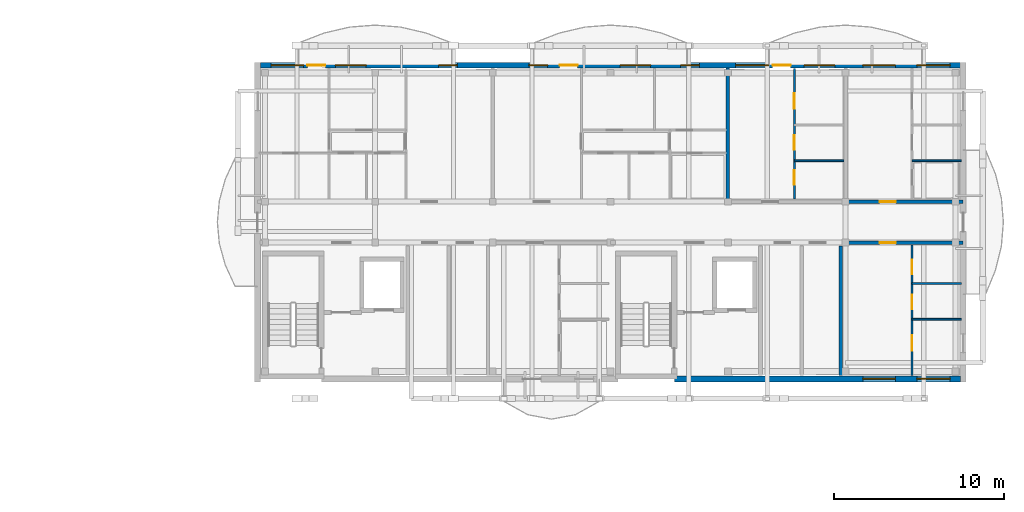
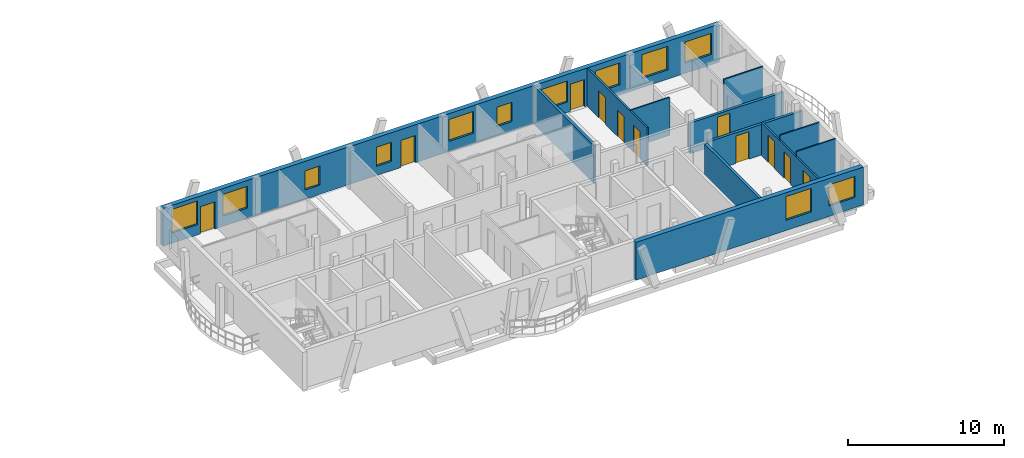
# One storey, part 30 of 41: 12 walls, 12 windows, 11 doors, 23 openings.
"""IFC4 building model written with IfcOpenShell, lengths in metres."""

from ifc_helpers import new_model, si_unit, direction, frame, frame_2d, origin, origin_with_axes, place, context, subcontext, project, spatial, rectangle, extrude, material, layer, layer_set, type_object, element, fill, save


model = new_model("IFC4")

# Units and contexts
model_context = context("Model", 3, precision=1e-05, world=origin(), true_north=direction((0.0, 1.0)))
body_context = subcontext(model_context, "Body", "Model", "MODEL_VIEW")
ifc_project = project(units=[si_unit("LENGTHUNIT", "METRE"), si_unit("AREAUNIT", "SQUARE_METRE"), si_unit("VOLUMEUNIT", "CUBIC_METRE"), si_unit("PLANEANGLEUNIT", "RADIAN"), si_unit("MASSUNIT", "GRAM", prefix="KILO")], contexts=[model_context])

# Site, building, storey
site_placement = place(None, origin())
site = spatial("IfcSite", under=ifc_project, at=site_placement, CompositionType="ELEMENT")
building_placement = place(site_placement, origin())
building = spatial("IfcBuilding", under=site, at=building_placement, Name="Zavelmont Quarter", CompositionType="ELEMENT")
storey_placement = place(building_placement, frame((0.0, 0.0, 27.199951171875)))
storey = spatial("IfcBuildingStorey", under=building, at=storey_placement, Name="L08", CompositionType="ELEMENT", Elevation=27.199951171875)

# Wall, openings, windows
ifc_material_1 = material(Name="Natural Belgian limestone", Category="masonry")
ifc_layer_1 = layer(ifc_material_1, 0.340087890625)
ifc_layer_set_1 = layer_set([ifc_layer_1], Name="Natural Belgian limestone")
wall_type_1 = type_object("IfcWallType", Name="EW03", PredefinedType="STANDARD", material=ifc_layer_set_1)
wall_1_placement = place(storey_placement, frame((151.050048828125, 97.60009765625, 0.0), z_axis=(0.0, 0.0, 1.0), x_axis=(1.0, 0.0, 0.0)))
wall_1 = element("IfcWall", 1, at=wall_1_placement, inside=storey, type_object=wall_type_1, Name="L08 exterior limestone wall EW03", PredefinedType="STANDARD", context=body_context, shape_type="SweptSolid", body=[
    extrude(rectangle(XDim=16.7900390625, YDim=0.340087890625, at=frame_2d((8.39501953125, 0.0))), origin(), (0.0, 0.0, 1.0), 2.9599609375),
])
opening_1_placement = place(wall_1_placement, frame((11.070068359375, 0.0, 0.800048828125)))
opening_1 = element("IfcOpeningElement", 2, at=opening_1_placement, cuts=wall_1, Name="Opening WN20", PredefinedType="OPENING", context=body_context, shape_type="SweptSolid", body=[
    extrude(rectangle(XDim=1.89990234375, YDim=1.85009765625, at=frame_2d((0.949951171875, 0.925048828125))), frame((0.0, 0.18212890625, 0.0), z_axis=(0.0, -1.0, 0.0), x_axis=(1.0, 0.0, 0.0)), (0.0, 0.0, 1.0), 0.364013671875),
])
opening_2_placement = place(wall_1_placement, frame((14.235107421875, 0.0, 0.800048828125)))
opening_2 = element("IfcOpeningElement", 3, at=opening_2_placement, cuts=wall_1, Name="Opening WN24", PredefinedType="OPENING", context=body_context, shape_type="SweptSolid", body=[
    extrude(rectangle(XDim=1.949951171875, YDim=1.64990234375, at=frame_2d((0.97509765625, 0.824951171875))), frame((0.0, 0.18212890625, 0.0), z_axis=(0.0, -1.0, 0.0), x_axis=(1.0, 0.0, 0.0)), (0.0, 0.0, 1.0), 0.364013671875),
])
ifc_material_2 = material(Name="Double low-E insulated glazing in thermally broken aluminium frame", Category="aluminium")
window_type_1 = type_object("IfcWindowType", Name="WN20", PartitioningType="SINGLE_PANEL", PredefinedType="WINDOW", material=ifc_material_2)
window_1_placement = place(opening_1_placement, origin_with_axes())
window_1 = element("IfcWindow", 4, at=window_1_placement, inside=storey, type_object=window_type_1, Name="L08 window WN20", OverallHeight=1.85009765625, OverallWidth=1.89990234375, PartitioningType="SINGLE_PANEL", PredefinedType="WINDOW", context=body_context, shape_type="SweptSolid", body=[
    extrude(rectangle(XDim=1.89990234375, YDim=1.85009765625, at=frame_2d((0.949951171875, 0.925048828125))), frame((0.0, 0.030029296875, 0.0), z_axis=(0.0, -1.0, 0.0), x_axis=(1.0, 0.0, 0.0)), (0.0, 0.0, 1.0), 0.06005859375),
])
fill(opening_1, window_1)
window_type_2 = type_object("IfcWindowType", Name="WN24", PartitioningType="SINGLE_PANEL", PredefinedType="WINDOW", material=ifc_material_2)
window_2_placement = place(opening_2_placement, origin_with_axes())
window_2 = element("IfcWindow", 5, at=window_2_placement, inside=storey, type_object=window_type_2, Name="L08 window WN24", OverallHeight=1.64990234375, OverallWidth=1.949951171875, PartitioningType="SINGLE_PANEL", PredefinedType="WINDOW", context=body_context, shape_type="SweptSolid", body=[
    extrude(rectangle(XDim=1.949951171875, YDim=1.64990234375, at=frame_2d((0.97509765625, 0.824951171875))), frame((0.0, 0.030029296875, 0.0), z_axis=(0.0, -1.0, 0.0), x_axis=(1.0, 0.0, 0.0)), (0.0, 0.0, 1.0), 0.06005859375),
])
fill(opening_2, window_2)

# Wall, openings, doors, windows
wall_2_placement = place(storey_placement, frame((126.760009765625, 116.0, 0.0), z_axis=(0.0, 0.0, 1.0), x_axis=(1.0, 0.0, 0.0)))
wall_2 = element("IfcWall", 6, at=wall_2_placement, inside=storey, type_object=wall_type_1, Name="L08 exterior limestone wall EW03", PredefinedType="STANDARD", context=body_context, shape_type="SweptSolid", body=[
    extrude(rectangle(XDim=41.080078125, YDim=0.340087890625, at=frame_2d((20.5400390625, 0.0))), origin(), (0.0, 0.0, 1.0), 2.9599609375),
])
opening_3_placement = place(wall_2_placement, frame((2.767333984375, 0.0, 0.0)))
opening_3 = element("IfcOpeningElement", 7, at=opening_3_placement, cuts=wall_2, Name="Opening DR04A", PredefinedType="OPENING", context=body_context, shape_type="SweptSolid", body=[
    extrude(rectangle(XDim=1.050048828125, YDim=2.1201171875, at=frame_2d((0.52490234375, 1.06005859375))), frame((0.0, 0.18212890625, 0.0), z_axis=(0.0, -1.0, 0.0), x_axis=(1.0, 0.0, 0.0)), (0.0, 0.0, 1.0), 0.364013671875),
])
opening_4_placement = place(wall_2_placement, frame((17.5673828125, 0.0, 0.0)))
opening_4 = element("IfcOpeningElement", 8, at=opening_4_placement, cuts=wall_2, Name="Opening DR04A", PredefinedType="OPENING", context=body_context, shape_type="SweptSolid", body=[
    extrude(rectangle(XDim=1.050048828125, YDim=2.1201171875, at=frame_2d((0.52490234375, 1.06005859375))), frame((0.0, 0.18212890625, 0.0), z_axis=(0.0, -1.0, 0.0), x_axis=(1.0, 0.0, 0.0)), (0.0, 0.0, 1.0), 0.364013671875),
])
opening_5_placement = place(wall_2_placement, frame((30.0673828125, 0.0, 0.0)))
opening_5 = element("IfcOpeningElement", 9, at=opening_5_placement, cuts=wall_2, Name="Opening DR04A", PredefinedType="OPENING", context=body_context, shape_type="SweptSolid", body=[
    extrude(rectangle(XDim=1.050048828125, YDim=2.1201171875, at=frame_2d((0.52490234375, 1.06005859375))), frame((0.0, 0.18212890625, 0.0), z_axis=(0.0, -1.0, 0.0), x_axis=(1.0, 0.0, 0.0)), (0.0, 0.0, 1.0), 0.364013671875),
])
opening_6_placement = place(wall_2_placement, frame((0.642333984375, 0.0, 0.800048828125)))
opening_6 = element("IfcOpeningElement", 10, at=opening_6_placement, cuts=wall_2, Name="Opening WN20", PredefinedType="OPENING", context=body_context, shape_type="SweptSolid", body=[
    extrude(rectangle(XDim=1.89990234375, YDim=1.85009765625, at=frame_2d((0.949951171875, 0.925048828125))), frame((0.0, 0.18212890625, 0.0), z_axis=(0.0, -1.0, 0.0), x_axis=(1.0, 0.0, 0.0)), (0.0, 0.0, 1.0), 0.364013671875),
])
opening_7_placement = place(wall_2_placement, frame((4.409912109375, 0.0, 0.800048828125)))
opening_7 = element("IfcOpeningElement", 11, at=opening_7_placement, cuts=wall_2, Name="Opening WN02", PredefinedType="OPENING", context=body_context, shape_type="SweptSolid", body=[
    extrude(rectangle(XDim=1.800048828125, YDim=1.699951171875, at=frame_2d((0.89990234375, 0.85009765625))), frame((0.0, 0.18212890625, 0.0), z_axis=(0.0, -1.0, 0.0), x_axis=(1.0, 0.0, 0.0)), (0.0, 0.0, 1.0), 0.364013671875),
])
opening_8_placement = place(wall_2_placement, frame((10.4599609375, 0.0, 0.719970703125)))
opening_8 = element("IfcOpeningElement", 12, at=opening_8_placement, cuts=wall_2, Name="Opening WN09", PredefinedType="OPENING", context=body_context, shape_type="SweptSolid", body=[
    extrude(rectangle(XDim=1.10009765625, YDim=1.5, at=frame_2d((0.550048828125, 0.75))), frame((0.0, 0.18212890625, 0.0), z_axis=(0.0, -1.0, 0.0), x_axis=(1.0, 0.0, 0.0)), (0.0, 0.0, 1.0), 0.364013671875),
])
opening_9_placement = place(wall_2_placement, frame((15.760009765625, 0.0, 0.719970703125)))
opening_9 = element("IfcOpeningElement", 13, at=opening_9_placement, cuts=wall_2, Name="Opening WN09", PredefinedType="OPENING", context=body_context, shape_type="SweptSolid", body=[
    extrude(rectangle(XDim=1.10009765625, YDim=1.5, at=frame_2d((0.550048828125, 0.75))), frame((0.0, 0.18212890625, 0.0), z_axis=(0.0, -1.0, 0.0), x_axis=(1.0, 0.0, 0.0)), (0.0, 0.0, 1.0), 0.364013671875),
])
opening_10_placement = place(wall_2_placement, frame((21.110107421875, 0.0, 0.800048828125)))
opening_10 = element("IfcOpeningElement", 14, at=opening_10_placement, cuts=wall_2, Name="Opening WN02", PredefinedType="OPENING", context=body_context, shape_type="SweptSolid", body=[
    extrude(rectangle(XDim=1.800048828125, YDim=1.699951171875, at=frame_2d((0.89990234375, 0.85009765625))), frame((0.0, 0.18212890625, 0.0), z_axis=(0.0, -1.0, 0.0), x_axis=(1.0, 0.0, 0.0)), (0.0, 0.0, 1.0), 0.364013671875),
])
opening_11_placement = place(wall_2_placement, frame((24.659912109375, 0.0, 0.719970703125)))
opening_11 = element("IfcOpeningElement", 15, at=opening_11_placement, cuts=wall_2, Name="Opening WN09", PredefinedType="OPENING", context=body_context, shape_type="SweptSolid", body=[
    extrude(rectangle(XDim=1.10009765625, YDim=1.5, at=frame_2d((0.550048828125, 0.75))), frame((0.0, 0.18212890625, 0.0), z_axis=(0.0, -1.0, 0.0), x_axis=(1.0, 0.0, 0.0)), (0.0, 0.0, 1.0), 0.364013671875),
])
opening_12_placement = place(wall_2_placement, frame((27.892333984375, 0.0, 0.800048828125)))
opening_12 = element("IfcOpeningElement", 16, at=opening_12_placement, cuts=wall_2, Name="Opening WN24", PredefinedType="OPENING", context=body_context, shape_type="SweptSolid", body=[
    extrude(rectangle(XDim=1.949951171875, YDim=1.64990234375, at=frame_2d((0.97509765625, 0.824951171875))), frame((0.0, 0.18212890625, 0.0), z_axis=(0.0, -1.0, 0.0), x_axis=(1.0, 0.0, 0.0)), (0.0, 0.0, 1.0), 0.364013671875),
])
opening_13_placement = place(wall_2_placement, frame((31.909912109375, 0.0, 0.800048828125)))
opening_13 = element("IfcOpeningElement", 17, at=opening_13_placement, cuts=wall_2, Name="Opening WN02", PredefinedType="OPENING", context=body_context, shape_type="SweptSolid", body=[
    extrude(rectangle(XDim=1.800048828125, YDim=1.699951171875, at=frame_2d((0.89990234375, 0.85009765625))), frame((0.0, 0.18212890625, 0.0), z_axis=(0.0, -1.0, 0.0), x_axis=(1.0, 0.0, 0.0)), (0.0, 0.0, 1.0), 0.364013671875),
])
opening_14_placement = place(wall_2_placement, frame((35.360107421875, 0.0, 0.719970703125)))
opening_14 = element("IfcOpeningElement", 18, at=opening_14_placement, cuts=wall_2, Name="Opening WN20", PredefinedType="OPENING", context=body_context, shape_type="SweptSolid", body=[
    extrude(rectangle(XDim=1.89990234375, YDim=1.85009765625, at=frame_2d((0.949951171875, 0.925048828125))), frame((0.0, 0.18212890625, 0.0), z_axis=(0.0, -1.0, 0.0), x_axis=(1.0, 0.0, 0.0)), (0.0, 0.0, 1.0), 0.364013671875),
])
opening_15_placement = place(wall_2_placement, frame((38.52490234375, 0.0, 0.800048828125)))
opening_15 = element("IfcOpeningElement", 19, at=opening_15_placement, cuts=wall_2, Name="Opening WN24", PredefinedType="OPENING", context=body_context, shape_type="SweptSolid", body=[
    extrude(rectangle(XDim=1.949951171875, YDim=1.64990234375, at=frame_2d((0.97509765625, 0.824951171875))), frame((0.0, 0.18212890625, 0.0), z_axis=(0.0, -1.0, 0.0), x_axis=(1.0, 0.0, 0.0)), (0.0, 0.0, 1.0), 0.364013671875),
])
ifc_material_3 = material(Name="Thermally broken aluminium and double safety glass", Category="aluminium")
door_type_1 = type_object("IfcDoorType", Name="DR04A", OperationType="NOTDEFINED", PredefinedType="DOOR", material=ifc_material_3)
door_1_placement = place(opening_3_placement, frame((1.050048828125, 0.0, 0.0), z_axis=(0.0, 0.0, 1.0), x_axis=(-1.0, 0.0, 0.0)))
door_1 = element("IfcDoor", 20, at=door_1_placement, inside=storey, type_object=door_type_1, Name="Block C L08 glazed balcony door", OperationType="SINGLE_SWING_LEFT", OverallHeight=2.1201171875, OverallWidth=1.050048828125, PredefinedType="DOOR", context=body_context, shape_type="SweptSolid", body=[
    extrude(rectangle(XDim=1.050048828125, YDim=2.1201171875, at=frame_2d((0.52490234375, 1.06005859375))), frame((0.0, 0.02490234375, 0.0), z_axis=(0.0, -1.0, 0.0), x_axis=(1.0, 0.0, 0.0)), (0.0, 0.0, 1.0), 0.050048828125),
])
fill(opening_3, door_1)
door_2_placement = place(opening_4_placement, frame((1.050048828125, 0.0, 0.0), z_axis=(0.0, 0.0, 1.0), x_axis=(-1.0, 0.0, 0.0)))
door_2 = element("IfcDoor", 21, at=door_2_placement, inside=storey, type_object=door_type_1, Name="Block C L08 glazed balcony door", OperationType="SINGLE_SWING_LEFT", OverallHeight=2.1201171875, OverallWidth=1.050048828125, PredefinedType="DOOR", context=body_context, shape_type="SweptSolid", body=[
    extrude(rectangle(XDim=1.050048828125, YDim=2.1201171875, at=frame_2d((0.52490234375, 1.06005859375))), frame((0.0, 0.02490234375, 0.0), z_axis=(0.0, -1.0, 0.0), x_axis=(1.0, 0.0, 0.0)), (0.0, 0.0, 1.0), 0.050048828125),
])
fill(opening_4, door_2)
door_3_placement = place(opening_5_placement, frame((1.050048828125, 0.0, 0.0), z_axis=(0.0, 0.0, 1.0), x_axis=(-1.0, 0.0, 0.0)))
door_3 = element("IfcDoor", 22, at=door_3_placement, inside=storey, type_object=door_type_1, Name="Block C L08 glazed balcony door", OperationType="SINGLE_SWING_LEFT", OverallHeight=2.1201171875, OverallWidth=1.050048828125, PredefinedType="DOOR", context=body_context, shape_type="SweptSolid", body=[
    extrude(rectangle(XDim=1.050048828125, YDim=2.1201171875, at=frame_2d((0.52490234375, 1.06005859375))), frame((0.0, 0.02490234375, 0.0), z_axis=(0.0, -1.0, 0.0), x_axis=(1.0, 0.0, 0.0)), (0.0, 0.0, 1.0), 0.050048828125),
])
fill(opening_5, door_3)
window_type_3 = type_object("IfcWindowType", Name="WN02", PartitioningType="SINGLE_PANEL", PredefinedType="WINDOW", material=ifc_material_2)
window_3_placement = place(opening_7_placement, origin_with_axes())
window_3 = element("IfcWindow", 23, at=window_3_placement, inside=storey, type_object=window_type_3, Name="L08 window WN02", OverallHeight=1.699951171875, OverallWidth=1.800048828125, PartitioningType="SINGLE_PANEL", PredefinedType="WINDOW", context=body_context, shape_type="SweptSolid", body=[
    extrude(rectangle(XDim=1.800048828125, YDim=1.699951171875, at=frame_2d((0.89990234375, 0.85009765625))), frame((0.0, 0.030029296875, 0.0), z_axis=(0.0, -1.0, 0.0), x_axis=(1.0, 0.0, 0.0)), (0.0, 0.0, 1.0), 0.06005859375),
])
fill(opening_7, window_3)
window_4_placement = place(opening_10_placement, origin_with_axes())
window_4 = element("IfcWindow", 24, at=window_4_placement, inside=storey, type_object=window_type_3, Name="L08 window WN02", OverallHeight=1.699951171875, OverallWidth=1.800048828125, PartitioningType="SINGLE_PANEL", PredefinedType="WINDOW", context=body_context, shape_type="SweptSolid", body=[
    extrude(rectangle(XDim=1.800048828125, YDim=1.699951171875, at=frame_2d((0.89990234375, 0.85009765625))), frame((0.0, 0.030029296875, 0.0), z_axis=(0.0, -1.0, 0.0), x_axis=(1.0, 0.0, 0.0)), (0.0, 0.0, 1.0), 0.06005859375),
])
fill(opening_10, window_4)
window_5_placement = place(opening_13_placement, origin_with_axes())
window_5 = element("IfcWindow", 25, at=window_5_placement, inside=storey, type_object=window_type_3, Name="L08 window WN02", OverallHeight=1.699951171875, OverallWidth=1.800048828125, PartitioningType="SINGLE_PANEL", PredefinedType="WINDOW", context=body_context, shape_type="SweptSolid", body=[
    extrude(rectangle(XDim=1.800048828125, YDim=1.699951171875, at=frame_2d((0.89990234375, 0.85009765625))), frame((0.0, 0.030029296875, 0.0), z_axis=(0.0, -1.0, 0.0), x_axis=(1.0, 0.0, 0.0)), (0.0, 0.0, 1.0), 0.06005859375),
])
fill(opening_13, window_5)
window_type_4 = type_object("IfcWindowType", Name="WN09", PartitioningType="SINGLE_PANEL", PredefinedType="WINDOW", material=ifc_material_2)
window_6_placement = place(opening_8_placement, origin_with_axes())
window_6 = element("IfcWindow", 26, at=window_6_placement, inside=storey, type_object=window_type_4, Name="L08 window WN09", OverallHeight=1.5, OverallWidth=1.10009765625, PartitioningType="SINGLE_PANEL", PredefinedType="WINDOW", context=body_context, shape_type="SweptSolid", body=[
    extrude(rectangle(XDim=1.10009765625, YDim=1.5, at=frame_2d((0.550048828125, 0.75))), frame((0.0, 0.030029296875, 0.0), z_axis=(0.0, -1.0, 0.0), x_axis=(1.0, 0.0, 0.0)), (0.0, 0.0, 1.0), 0.06005859375),
])
fill(opening_8, window_6)
window_7_placement = place(opening_9_placement, origin_with_axes())
window_7 = element("IfcWindow", 27, at=window_7_placement, inside=storey, type_object=window_type_4, Name="L08 window WN09", OverallHeight=1.5, OverallWidth=1.10009765625, PartitioningType="SINGLE_PANEL", PredefinedType="WINDOW", context=body_context, shape_type="SweptSolid", body=[
    extrude(rectangle(XDim=1.10009765625, YDim=1.5, at=frame_2d((0.550048828125, 0.75))), frame((0.0, 0.030029296875, 0.0), z_axis=(0.0, -1.0, 0.0), x_axis=(1.0, 0.0, 0.0)), (0.0, 0.0, 1.0), 0.06005859375),
])
fill(opening_9, window_7)
window_8_placement = place(opening_11_placement, origin_with_axes())
window_8 = element("IfcWindow", 28, at=window_8_placement, inside=storey, type_object=window_type_4, Name="L08 window WN09", OverallHeight=1.5, OverallWidth=1.10009765625, PartitioningType="SINGLE_PANEL", PredefinedType="WINDOW", context=body_context, shape_type="SweptSolid", body=[
    extrude(rectangle(XDim=1.10009765625, YDim=1.5, at=frame_2d((0.550048828125, 0.75))), frame((0.0, 0.030029296875, 0.0), z_axis=(0.0, -1.0, 0.0), x_axis=(1.0, 0.0, 0.0)), (0.0, 0.0, 1.0), 0.06005859375),
])
fill(opening_11, window_8)
window_9_placement = place(opening_6_placement, origin_with_axes())
window_9 = element("IfcWindow", 29, at=window_9_placement, inside=storey, type_object=window_type_1, Name="L08 window WN20", OverallHeight=1.85009765625, OverallWidth=1.89990234375, PartitioningType="SINGLE_PANEL", PredefinedType="WINDOW", context=body_context, shape_type="SweptSolid", body=[
    extrude(rectangle(XDim=1.89990234375, YDim=1.85009765625, at=frame_2d((0.949951171875, 0.925048828125))), frame((0.0, 0.030029296875, 0.0), z_axis=(0.0, -1.0, 0.0), x_axis=(1.0, 0.0, 0.0)), (0.0, 0.0, 1.0), 0.06005859375),
])
fill(opening_6, window_9)
window_10_placement = place(opening_14_placement, origin_with_axes())
window_10 = element("IfcWindow", 30, at=window_10_placement, inside=storey, type_object=window_type_1, Name="L08 window WN20", OverallHeight=1.85009765625, OverallWidth=1.89990234375, PartitioningType="SINGLE_PANEL", PredefinedType="WINDOW", context=body_context, shape_type="SweptSolid", body=[
    extrude(rectangle(XDim=1.89990234375, YDim=1.85009765625, at=frame_2d((0.949951171875, 0.925048828125))), frame((0.0, 0.030029296875, 0.0), z_axis=(0.0, -1.0, 0.0), x_axis=(1.0, 0.0, 0.0)), (0.0, 0.0, 1.0), 0.06005859375),
])
fill(opening_14, window_10)
window_11_placement = place(opening_12_placement, origin_with_axes())
window_11 = element("IfcWindow", 31, at=window_11_placement, inside=storey, type_object=window_type_2, Name="L08 window WN24", OverallHeight=1.64990234375, OverallWidth=1.949951171875, PartitioningType="SINGLE_PANEL", PredefinedType="WINDOW", context=body_context, shape_type="SweptSolid", body=[
    extrude(rectangle(XDim=1.949951171875, YDim=1.64990234375, at=frame_2d((0.97509765625, 0.824951171875))), frame((0.0, 0.030029296875, 0.0), z_axis=(0.0, -1.0, 0.0), x_axis=(1.0, 0.0, 0.0)), (0.0, 0.0, 1.0), 0.06005859375),
])
fill(opening_12, window_11)
window_12_placement = place(opening_15_placement, origin_with_axes())
window_12 = element("IfcWindow", 32, at=window_12_placement, inside=storey, type_object=window_type_2, Name="L08 window WN24", OverallHeight=1.64990234375, OverallWidth=1.949951171875, PartitioningType="SINGLE_PANEL", PredefinedType="WINDOW", context=body_context, shape_type="SweptSolid", body=[
    extrude(rectangle(XDim=1.949951171875, YDim=1.64990234375, at=frame_2d((0.97509765625, 0.824951171875))), frame((0.0, 0.030029296875, 0.0), z_axis=(0.0, -1.0, 0.0), x_axis=(1.0, 0.0, 0.0)), (0.0, 0.0, 1.0), 0.06005859375),
])
fill(opening_15, window_12)

# Walls
ifc_material_4 = material(Name="Calcium-silicate blockwork and acoustic plaster", Category="masonry")
ifc_layer_2 = layer(ifc_material_4, 0.199951171875)
ifc_layer_set_2 = layer_set([ifc_layer_2], Name="Calcium-silicate blockwork and acoustic plaster")
wall_type_2 = type_object("IfcWallType", Name="IW01", PredefinedType="PARTITIONING", material=ifc_layer_set_2)
wall_3_placement = place(storey_placement, frame((160.820068359375, 97.800048828125, 0.0), z_axis=(0.0, 0.0, 1.0), x_axis=(0.0, 1.0, 0.0)))
element("IfcWall", 33, at=wall_3_placement, inside=storey, type_object=wall_type_2, Name="L08 Core service end wall IW01", PredefinedType="PARTITIONING", context=body_context, shape_type="SweptSolid", body=[
    extrude(rectangle(XDim=7.599853515625, YDim=0.199951171875, at=frame_2d((3.7998046875, 0.0))), origin(), (0.0, 0.0, 1.0), 2.400146484375),
])
wall_4_placement = place(storey_placement, frame((154.199951171875, 108.14990234375, 0.0), z_axis=(0.0, 0.0, 1.0), x_axis=(0.0, 1.0, 0.0)))
element("IfcWall", 34, at=wall_4_placement, inside=storey, type_object=wall_type_2, Name="L08 Inter-dwelling compartment wall IW01", PredefinedType="PARTITIONING", context=body_context, shape_type="SweptSolid", body=[
    extrude(rectangle(XDim=7.7001953125, YDim=0.199951171875, at=frame_2d((3.85009765625, 0.0))), origin(), (0.0, 0.0, 1.0), 2.9599609375),
])

# Wall, opening, door
wall_5_placement = place(storey_placement, frame((161.10009765625, 108.0, 0.0), z_axis=(0.0, 0.0, 1.0), x_axis=(1.0, 0.0, 0.0)))
wall_5 = element("IfcWall", 35, at=wall_5_placement, inside=storey, type_object=wall_type_2, Name="L08 Corridor compartment wall IW01", PredefinedType="PARTITIONING", context=body_context, shape_type="SweptSolid", body=[
    extrude(rectangle(XDim=6.89990234375, YDim=0.199951171875, at=frame_2d((3.449951171875, 0.0))), origin(), (0.0, 0.0, 1.0), 2.400146484375),
])
opening_16_placement = place(wall_5_placement, frame((2.0, 0.0, 0.0)))
opening_16 = element("IfcOpeningElement", 36, at=opening_16_placement, cuts=wall_5, Name="Opening DR02", PredefinedType="OPENING", context=body_context, shape_type="SweptSolid", body=[
    extrude(rectangle(XDim=0.949951171875, YDim=2.14990234375, at=frame_2d((0.47509765625, 1.074951171875))), frame((0.0, 0.11181640625, 0.0), z_axis=(0.0, -1.0, 0.0), x_axis=(1.0, 0.0, 0.0)), (0.0, 0.0, 1.0), 0.223876953125),
])
ifc_material_5 = material(Name="Solid-core oak fire leaf in steel frame", Category="steel")
door_type_2 = type_object("IfcDoorType", Name="DR02", OperationType="NOTDEFINED", PredefinedType="DOOR", material=ifc_material_5)
door_4_placement = place(opening_16_placement, origin_with_axes())
door_4 = element("IfcDoor", 37, at=door_4_placement, inside=storey, type_object=door_type_2, Name="L08 door DR02", OperationType="SINGLE_SWING_LEFT", OverallHeight=2.14990234375, OverallWidth=0.949951171875, PredefinedType="DOOR", context=body_context, shape_type="SweptSolid", body=[
    extrude(rectangle(XDim=0.949951171875, YDim=2.14990234375, at=frame_2d((0.47509765625, 1.074951171875))), frame((0.0, 0.02490234375, 0.0), z_axis=(0.0, -1.0, 0.0), x_axis=(1.0, 0.0, 0.0)), (0.0, 0.0, 1.0), 0.050048828125),
])
fill(opening_16, door_4)

wall_6_placement = place(storey_placement, frame((161.10009765625, 105.60009765625, 0.0), z_axis=(0.0, 0.0, 1.0), x_axis=(1.0, 0.0, 0.0)))
wall_6 = element("IfcWall", 38, at=wall_6_placement, inside=storey, type_object=wall_type_2, Name="L08 Corridor compartment wall IW01", PredefinedType="PARTITIONING", context=body_context, shape_type="SweptSolid", body=[
    extrude(rectangle(XDim=6.89990234375, YDim=0.199951171875, at=frame_2d((3.449951171875, 0.0))), origin(), (0.0, 0.0, 1.0), 2.400146484375),
])
opening_17_placement = place(wall_6_placement, frame((2.0, 0.0, 0.0)))
opening_17 = element("IfcOpeningElement", 39, at=opening_17_placement, cuts=wall_6, Name="Opening DR02", PredefinedType="OPENING", context=body_context, shape_type="SweptSolid", body=[
    extrude(rectangle(XDim=0.949951171875, YDim=2.14990234375, at=frame_2d((0.47509765625, 1.074951171875))), frame((0.0, 0.11181640625, 0.0), z_axis=(0.0, -1.0, 0.0), x_axis=(1.0, 0.0, 0.0)), (0.0, 0.0, 1.0), 0.223876953125),
])
door_5_placement = place(opening_17_placement, frame((0.949951171875, 0.0, 0.0), z_axis=(0.0, 0.0, 1.0), x_axis=(-1.0, 0.0, 0.0)))
door_5 = element("IfcDoor", 40, at=door_5_placement, inside=storey, type_object=door_type_2, Name="L08 door DR02", OperationType="SINGLE_SWING_RIGHT", OverallHeight=2.14990234375, OverallWidth=0.949951171875, PredefinedType="DOOR", context=body_context, shape_type="SweptSolid", body=[
    extrude(rectangle(XDim=0.949951171875, YDim=2.14990234375, at=frame_2d((0.47509765625, 1.074951171875))), frame((0.0, 0.02490234375, 0.0), z_axis=(0.0, -1.0, 0.0), x_axis=(1.0, 0.0, 0.0)), (0.0, 0.0, 1.0), 0.050048828125),
])
fill(opening_17, door_5)

# Wall, openings, doors
ifc_material_6 = material(Name="Double gypsum board on acoustic steel stud", Category="steel")
ifc_layer_3 = layer(ifc_material_6, 0.125)
ifc_layer_set_3 = layer_set([ifc_layer_3], Name="Double gypsum board on acoustic steel stud")
wall_type_3 = type_object("IfcWallType", Name="IW03", PredefinedType="PARTITIONING", material=ifc_layer_set_3)
wall_7_placement = place(storey_placement, frame((158.10009765625, 108.14990234375, 0.0), z_axis=(0.0, 0.0, 1.0), x_axis=(0.0, 1.0, 0.0)))
wall_7 = element("IfcWall", 41, at=wall_7_placement, inside=storey, type_object=wall_type_3, Name="L08 Partition IW03", PredefinedType="PARTITIONING", context=body_context, shape_type="SweptSolid", body=[
    extrude(rectangle(XDim=7.650146484375, YDim=0.125, at=frame_2d((3.8251953125, 0.0))), origin(), (0.0, 0.0, 1.0), 2.9599609375),
])
opening_18_placement = place(wall_7_placement, frame((0.85009765625, 0.0, 0.0)))
opening_18 = element("IfcOpeningElement", 42, at=opening_18_placement, cuts=wall_7, Name="Opening DR16", PredefinedType="OPENING", context=body_context, shape_type="SweptSolid", body=[
    extrude(rectangle(XDim=0.85009765625, YDim=2.10009765625, at=frame_2d((0.425048828125, 1.050048828125))), frame((0.0, 0.074462890625, 0.0), z_axis=(0.0, -1.0, 0.0), x_axis=(1.0, 0.0, 0.0)), (0.0, 0.0, 1.0), 0.14892578125),
])
opening_19_placement = place(wall_7_placement, frame((2.89990234375, 0.0, 0.0)))
opening_19 = element("IfcOpeningElement", 43, at=opening_19_placement, cuts=wall_7, Name="Opening DR06", PredefinedType="OPENING", context=body_context, shape_type="SweptSolid", body=[
    extrude(rectangle(XDim=0.85009765625, YDim=2.050048828125, at=frame_2d((0.425048828125, 1.02490234375))), frame((0.0, 0.074462890625, 0.0), z_axis=(0.0, -1.0, 0.0), x_axis=(1.0, 0.0, 0.0)), (0.0, 0.0, 1.0), 0.14892578125),
])
opening_20_placement = place(wall_7_placement, frame((5.300048828125, 0.0, 0.0)))
opening_20 = element("IfcOpeningElement", 44, at=opening_20_placement, cuts=wall_7, Name="Opening DR05", PredefinedType="OPENING", context=body_context, shape_type="SweptSolid", body=[
    extrude(rectangle(XDim=0.89990234375, YDim=2.10009765625, at=frame_2d((0.449951171875, 1.050048828125))), frame((0.0, 0.074462890625, 0.0), z_axis=(0.0, -1.0, 0.0), x_axis=(1.0, 0.0, 0.0)), (0.0, 0.0, 1.0), 0.14892578125),
])
ifc_material_7 = material(Name="Engineered oak flush interior door")
door_type_3 = type_object("IfcDoorType", Name="DR05", OperationType="NOTDEFINED", PredefinedType="DOOR", material=ifc_material_7)
door_6_placement = place(opening_20_placement, frame((0.89990234375, 0.0, 0.0), z_axis=(0.0, 0.0, 1.0), x_axis=(-1.0, 0.0, 0.0)))
door_6 = element("IfcDoor", 45, at=door_6_placement, inside=storey, type_object=door_type_3, Name="L08 door DR05", OperationType="SINGLE_SWING_RIGHT", OverallHeight=2.10009765625, OverallWidth=0.89990234375, PredefinedType="DOOR", context=body_context, shape_type="SweptSolid", body=[
    extrude(rectangle(XDim=0.89990234375, YDim=2.10009765625, at=frame_2d((0.449951171875, 1.050048828125))), frame((0.0, 0.02490234375, 0.0), z_axis=(0.0, -1.0, 0.0), x_axis=(1.0, 0.0, 0.0)), (0.0, 0.0, 1.0), 0.050048828125),
])
fill(opening_20, door_6)
ifc_material_8 = material(Name="Moisture-resistant painted wet-room door")
door_type_4 = type_object("IfcDoorType", Name="DR06", OperationType="NOTDEFINED", PredefinedType="DOOR", material=ifc_material_8)
door_7_placement = place(opening_19_placement, origin_with_axes())
door_7 = element("IfcDoor", 46, at=door_7_placement, inside=storey, type_object=door_type_4, Name="L08 door DR06", OperationType="SINGLE_SWING_LEFT", OverallHeight=2.050048828125, OverallWidth=0.85009765625, PredefinedType="DOOR", context=body_context, shape_type="SweptSolid", body=[
    extrude(rectangle(XDim=0.85009765625, YDim=2.050048828125, at=frame_2d((0.425048828125, 1.02490234375))), frame((0.0, 0.02490234375, 0.0), z_axis=(0.0, -1.0, 0.0), x_axis=(1.0, 0.0, 0.0)), (0.0, 0.0, 1.0), 0.050048828125),
])
fill(opening_19, door_7)
door_type_5 = type_object("IfcDoorType", Name="DR16", OperationType="NOTDEFINED", PredefinedType="DOOR", material=ifc_material_7)
door_8_placement = place(opening_18_placement, frame((0.85009765625, 0.0, 0.0), z_axis=(0.0, 0.0, 1.0), x_axis=(-1.0, 0.0, 0.0)))
door_8 = element("IfcDoor", 47, at=door_8_placement, inside=storey, type_object=door_type_5, Name="L08 door DR16", OperationType="SINGLE_SWING_RIGHT", OverallHeight=2.10009765625, OverallWidth=0.85009765625, PredefinedType="DOOR", context=body_context, shape_type="SweptSolid", body=[
    extrude(rectangle(XDim=0.85009765625, YDim=2.10009765625, at=frame_2d((0.425048828125, 1.050048828125))), frame((0.0, 0.02490234375, 0.0), z_axis=(0.0, -1.0, 0.0), x_axis=(1.0, 0.0, 0.0)), (0.0, 0.0, 1.0), 0.050048828125),
])
fill(opening_18, door_8)

wall_8_placement = place(storey_placement, frame((165.0, 105.449951171875, 0.0), z_axis=(0.0, 0.0, 1.0), x_axis=(0.0, -1.0, 0.0)))
wall_8 = element("IfcWall", 48, at=wall_8_placement, inside=storey, type_object=wall_type_3, Name="L08 Partition IW03", PredefinedType="PARTITIONING", context=body_context, shape_type="SweptSolid", body=[
    extrude(rectangle(XDim=7.64990234375, YDim=0.125, at=frame_2d((3.824951171875, 0.0))), origin(), (0.0, 0.0, 1.0), 2.590087890625),
])
opening_21_placement = place(wall_8_placement, frame((0.85009765625, 0.0, 0.0)))
opening_21 = element("IfcOpeningElement", 49, at=opening_21_placement, cuts=wall_8, Name="Opening DR16", PredefinedType="OPENING", context=body_context, shape_type="SweptSolid", body=[
    extrude(rectangle(XDim=0.85009765625, YDim=2.10009765625, at=frame_2d((0.425048828125, 1.050048828125))), frame((0.0, 0.074462890625, 0.0), z_axis=(0.0, -1.0, 0.0), x_axis=(1.0, 0.0, 0.0)), (0.0, 0.0, 1.0), 0.14892578125),
])
opening_22_placement = place(wall_8_placement, frame((2.89990234375, 0.0, 0.0)))
opening_22 = element("IfcOpeningElement", 50, at=opening_22_placement, cuts=wall_8, Name="Opening DR06", PredefinedType="OPENING", context=body_context, shape_type="SweptSolid", body=[
    extrude(rectangle(XDim=0.85009765625, YDim=2.050048828125, at=frame_2d((0.425048828125, 1.02490234375))), frame((0.0, 0.074462890625, 0.0), z_axis=(0.0, -1.0, 0.0), x_axis=(1.0, 0.0, 0.0)), (0.0, 0.0, 1.0), 0.14892578125),
])
opening_23_placement = place(wall_8_placement, frame((5.300048828125, 0.0, 0.0)))
opening_23 = element("IfcOpeningElement", 51, at=opening_23_placement, cuts=wall_8, Name="Opening DR05", PredefinedType="OPENING", context=body_context, shape_type="SweptSolid", body=[
    extrude(rectangle(XDim=0.89990234375, YDim=2.10009765625, at=frame_2d((0.449951171875, 1.050048828125))), frame((0.0, 0.074462890625, 0.0), z_axis=(0.0, -1.0, 0.0), x_axis=(1.0, 0.0, 0.0)), (0.0, 0.0, 1.0), 0.14892578125),
])
door_9_placement = place(opening_23_placement, frame((0.89990234375, 0.0, 0.0), z_axis=(0.0, 0.0, 1.0), x_axis=(-1.0, 0.0, 0.0)))
door_9 = element("IfcDoor", 52, at=door_9_placement, inside=storey, type_object=door_type_3, Name="L08 door DR05", OperationType="SINGLE_SWING_RIGHT", OverallHeight=2.10009765625, OverallWidth=0.89990234375, PredefinedType="DOOR", context=body_context, shape_type="SweptSolid", body=[
    extrude(rectangle(XDim=0.89990234375, YDim=2.10009765625, at=frame_2d((0.449951171875, 1.050048828125))), frame((0.0, 0.02490234375, 0.0), z_axis=(0.0, -1.0, 0.0), x_axis=(1.0, 0.0, 0.0)), (0.0, 0.0, 1.0), 0.050048828125),
])
fill(opening_23, door_9)
door_10_placement = place(opening_22_placement, origin_with_axes())
door_10 = element("IfcDoor", 53, at=door_10_placement, inside=storey, type_object=door_type_4, Name="L08 door DR06", OperationType="SINGLE_SWING_LEFT", OverallHeight=2.050048828125, OverallWidth=0.85009765625, PredefinedType="DOOR", context=body_context, shape_type="SweptSolid", body=[
    extrude(rectangle(XDim=0.85009765625, YDim=2.050048828125, at=frame_2d((0.425048828125, 1.02490234375))), frame((0.0, 0.02490234375, 0.0), z_axis=(0.0, -1.0, 0.0), x_axis=(1.0, 0.0, 0.0)), (0.0, 0.0, 1.0), 0.050048828125),
])
fill(opening_22, door_10)
door_11_placement = place(opening_21_placement, frame((0.85009765625, 0.0, 0.0), z_axis=(0.0, 0.0, 1.0), x_axis=(-1.0, 0.0, 0.0)))
door_11 = element("IfcDoor", 54, at=door_11_placement, inside=storey, type_object=door_type_5, Name="L08 door DR16", OperationType="SINGLE_SWING_RIGHT", OverallHeight=2.10009765625, OverallWidth=0.85009765625, PredefinedType="DOOR", context=body_context, shape_type="SweptSolid", body=[
    extrude(rectangle(XDim=0.85009765625, YDim=2.10009765625, at=frame_2d((0.425048828125, 1.050048828125))), frame((0.0, 0.02490234375, 0.0), z_axis=(0.0, -1.0, 0.0), x_axis=(1.0, 0.0, 0.0)), (0.0, 0.0, 1.0), 0.050048828125),
])
fill(opening_21, door_11)

# Walls
ifc_material_9 = material(Name="Moisture-resistant gypsum board on steel stud", Category="steel")
ifc_layer_4 = layer(ifc_material_9, 0.10009765625)
ifc_layer_set_4 = layer_set([ifc_layer_4], Name="Moisture-resistant gypsum board on steel stud")
wall_type_4 = type_object("IfcWallType", Name="IW04", PredefinedType="PARTITIONING", material=ifc_layer_set_4)
for number, where, z_axis, x_axis, name in (
    (55, (158.10009765625, 110.39990234375, 0.0), (0.0, 0.0, 1.0), (1.0, 0.0, 0.0), "L08 Partition IW04"),
    (56, (165.0, 110.39990234375, 0.0), (0.0, 0.0, 1.0), (1.0, 0.0, 0.0), "L08 Partition IW04"),
    (57, (165.0, 103.199951171875, 0.0), (0.0, 0.0, 1.0), (1.0, 0.0, 0.0), "L08 Partition IW04"),
    (58, (165.0, 101.10009765625, 0.0), (0.0, 0.0, 1.0), (1.0, 0.0, 0.0), "L08 Partition IW04"),
):
    element("IfcWall", number, at=place(storey_placement, frame(where, z_axis=z_axis, x_axis=x_axis)), inside=storey, type_object=wall_type_4, Name=name, PredefinedType="PARTITIONING", context=body_context, shape_type="SweptSolid", body=[
        extrude(rectangle(XDim=2.89990234375, YDim=0.10009765625, at=frame_2d((1.449951171875, 0.0))), origin(), (0.0, 0.0, 1.0), 2.9599609375),
    ])

save(model, "model.ifc")
